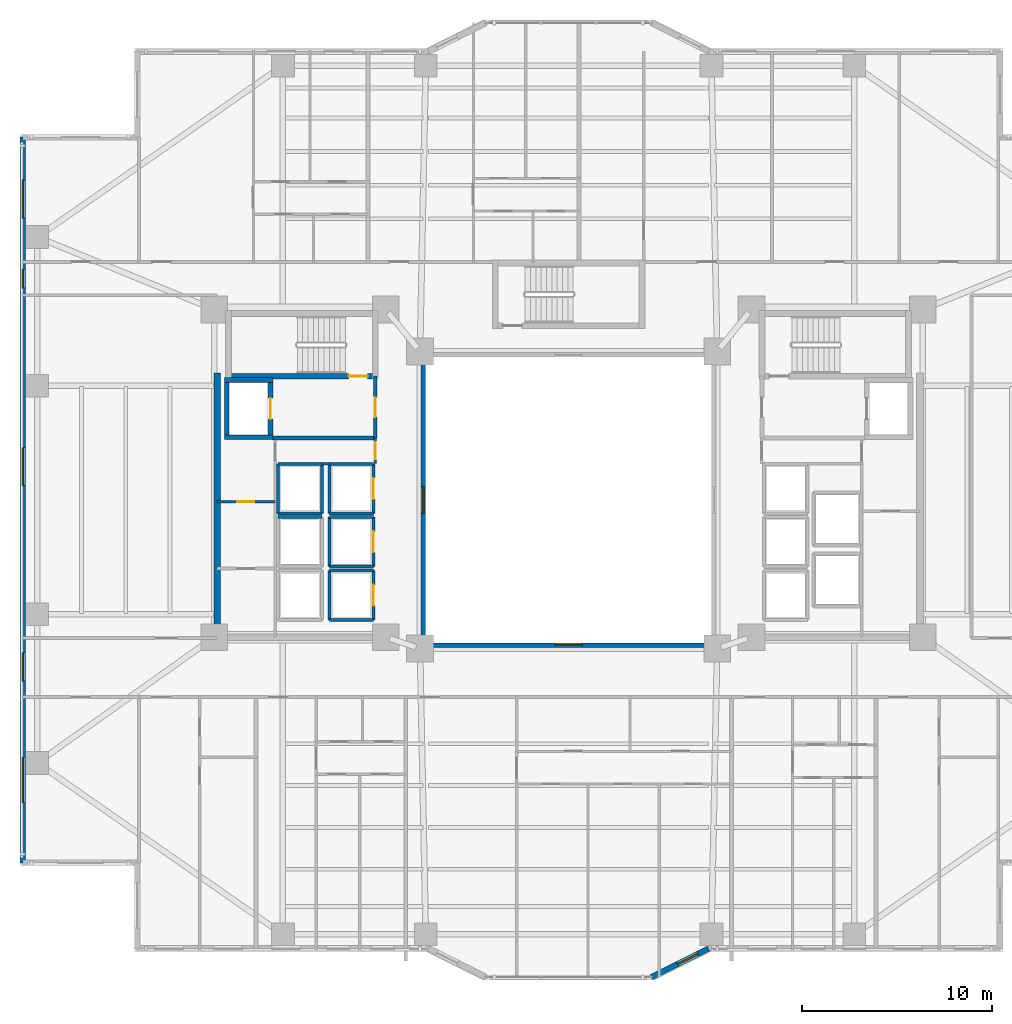
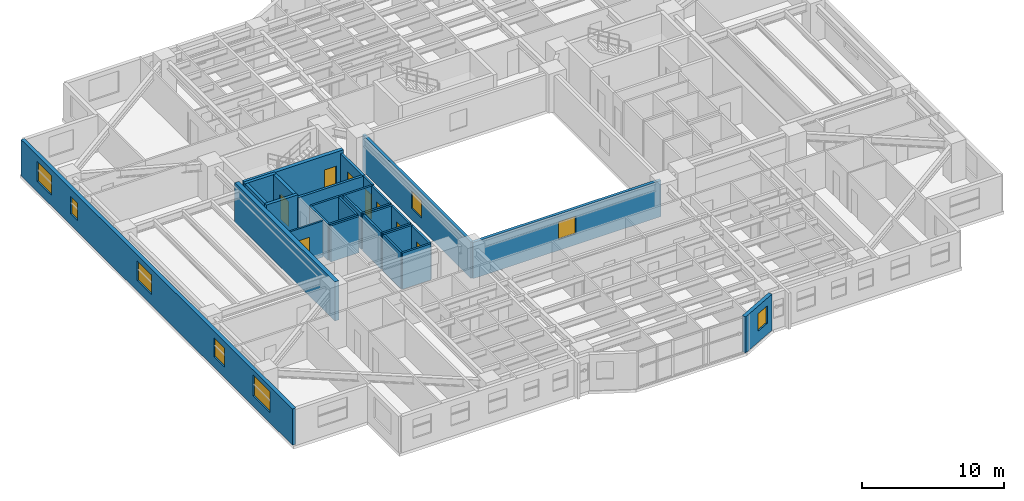
# One storey, part 11 of 21: 32 walls, 8 doors, 8 windows, 16 openings.
"""IFC4 building model written with IfcOpenShell, lengths in metres."""

from ifc_helpers import new_model, si_unit, direction, frame, frame_2d, origin, place, context, subcontext, project, spatial, rectangle, extrude, material, layer, layer_set, type_object, element, fill, save


model = new_model("IFC4")

# Units and contexts
model_context = context("Model", 3, precision=1e-05, world=origin(), true_north=direction((0.0, 1.0)))
body_context = subcontext(model_context, "Body", "Model", "MODEL_VIEW")
ifc_project = project(units=[si_unit("LENGTHUNIT", "METRE"), si_unit("AREAUNIT", "SQUARE_METRE"), si_unit("VOLUMEUNIT", "CUBIC_METRE"), si_unit("PLANEANGLEUNIT", "RADIAN"), si_unit("MASSUNIT", "GRAM", prefix="KILO")], contexts=[model_context])

# Site, building, storey
site_placement = place(None, origin())
site = spatial("IfcSite", under=ifc_project, at=site_placement, CompositionType="ELEMENT")
building_placement = place(site_placement, origin())
building = spatial("IfcBuilding", under=site, at=building_placement, Name="Tarnavaz Court Tower", CompositionType="ELEMENT")
storey_placement = place(building_placement, frame((0.0, 0.0, 40.75)))
storey = spatial("IfcBuildingStorey", under=building, at=storey_placement, Name="L10", CompositionType="ELEMENT", Elevation=40.75)

# Wall
ifc_material_1 = material(Name="Concrete C60/75", Category="concrete")
ifc_layer_1 = layer(ifc_material_1, 0.25)
ifc_layer_set_1 = layer_set([ifc_layer_1], Name="Concrete C60/75")
wall_type_1 = type_object("IfcWallType", Name="WL-CORE-250-C60", PredefinedType="SHEAR", material=ifc_layer_set_1)
wall_1_placement = place(storey_placement, frame((-17.949951171875, 3.175048828125, 0.0), z_axis=(0.0, 0.0, 1.0), x_axis=(0.0, 1.0, 0.0)))
element("IfcWall", 1, at=wall_1_placement, inside=storey, type_object=wall_type_1, Name="L10 Lift FL-W1 Shaft Wall 017", PredefinedType="SHEAR", context=body_context, shape_type="SweptSolid", body=[
    extrude(rectangle(XDim=3.25, YDim=0.25, at=frame_2d((1.625, 0.0))), origin(), (0.0, 0.0, 1.0), 3.35009765625),
])

# Wall, opening, door
wall_2_placement = place(storey_placement, frame((-15.64990234375, 3.175048828125, 0.0), z_axis=(0.0, 0.0, 1.0), x_axis=(0.0, 1.0, 0.0)))
wall_2 = element("IfcWall", 2, at=wall_2_placement, inside=storey, type_object=wall_type_1, Name="L10 Lift FL-W1 Shaft Wall 018", PredefinedType="SHEAR", context=body_context, shape_type="SweptSolid", body=[
    extrude(rectangle(XDim=3.25, YDim=0.25, at=frame_2d((1.625, 0.0))), origin(), (0.0, 0.0, 1.0), 3.35009765625),
])
opening_1_placement = place(wall_2_placement, frame((1.074951171875, 0.0, 0.0)))
opening_1 = element("IfcOpeningElement", 3, at=opening_1_placement, cuts=wall_2, Name="Opening LD1", PredefinedType="OPENING", context=body_context, shape_type="SweptSolid", body=[
    extrude(rectangle(XDim=1.10009765625, YDim=2.14990234375, at=frame_2d((0.550048828125, 1.074951171875))), frame((0.0, 0.135009765625, 0.0), z_axis=(0.0, -1.0, 0.0), x_axis=(1.0, 0.0, 0.0)), (0.0, 0.0, 1.0), 0.27001953125),
])
ifc_material_2 = material(Name="Stainless Steel", Category="steel")
door_type_1 = type_object("IfcDoorType", Name="DR-LD-1100", OperationType="NOTDEFINED", PredefinedType="DOOR", material=ifc_material_2)
door_1_placement = place(opening_1_placement, origin())
door_1 = element("IfcDoor", 4, at=door_1_placement, inside=storey, type_object=door_type_1, Name="L10 Lift Landing Door LD-FL-W1", OperationType="SLIDING_TO_LEFT", OverallHeight=2.14990234375, OverallWidth=1.10009765625, PredefinedType="DOOR", context=body_context, shape_type="SweptSolid", body=[
    extrude(rectangle(XDim=1.10009765625, YDim=2.14990234375, at=frame_2d((0.550048828125, 1.074951171875))), frame((0.0, 0.02490234375, 0.0), z_axis=(0.0, -1.0, 0.0), x_axis=(1.0, 0.0, 0.0)), (0.0, 0.0, 1.0), 0.050048828125),
])
fill(opening_1, door_1)

# Walls
for number, where, z_axis, x_axis, name in (
    (5, (-18.074951171875, 3.300048828125, 0.0), (0.0, 0.0, 1.0), (1.0, 0.0, 0.0), "L10 Lift FL-W1 Shaft Wall 019"),
    (6, (-18.074951171875, 6.300048828125, 0.0), (0.0, 0.0, 1.0), (1.0, 0.0, 0.0), "L10 Lift FL-W1 Shaft Wall 020"),
):
    element("IfcWall", number, at=place(storey_placement, frame(where, z_axis=z_axis, x_axis=x_axis)), inside=storey, type_object=wall_type_1, Name=name, PredefinedType="SHEAR", context=body_context, shape_type="SweptSolid", body=[
        extrude(rectangle(XDim=2.550048828125, YDim=0.25, at=frame_2d((1.27490234375, 0.0))), origin(), (0.0, 0.0, 1.0), 3.35009765625),
    ])

# Wall, opening, door
ifc_layer_2 = layer(ifc_material_1, 0.300048828125)
ifc_layer_set_2 = layer_set([ifc_layer_2], Name="Concrete C60/75")
wall_type_2 = type_object("IfcWallType", Name="WL-CORE-300-C60", PredefinedType="SHEAR", material=ifc_layer_set_2)
wall_3_placement = place(storey_placement, frame((-18.0, 6.5, 0.0), z_axis=(0.0, 0.0, 1.0), x_axis=(1.0, 0.0, 0.0)))
wall_3 = element("IfcWall", 7, at=wall_3_placement, inside=storey, type_object=wall_type_2, Name="L10 West Stair Core Wall 002", PredefinedType="SHEAR", context=body_context, shape_type="SweptSolid", body=[
    extrude(rectangle(XDim=8.0, YDim=0.300048828125, at=frame_2d((4.0, 0.0))), origin(), (0.0, 0.0, 1.0), 3.35009765625),
])
opening_2_placement = place(wall_3_placement, frame((6.449951171875, 0.0, 0.0)))
opening_2 = element("IfcOpeningElement", 8, at=opening_2_placement, cuts=wall_3, Name="Opening D01", PredefinedType="OPENING", context=body_context, shape_type="SweptSolid", body=[
    extrude(rectangle(XDim=1.0, YDim=2.14990234375, at=frame_2d((0.5, 1.074951171875))), frame((0.0, 0.159912109375, 0.0), z_axis=(0.0, -1.0, 0.0), x_axis=(1.0, 0.0, 0.0)), (0.0, 0.0, 1.0), 0.320068359375),
])
ifc_material_3 = material(Name="Fire-Rated Hardwood Timber Core", Category="wood")
door_type_2 = type_object("IfcDoorType", Name="DR-FD90-1000", OperationType="NOTDEFINED", PredefinedType="DOOR", material=ifc_material_3)
door_2_placement = place(opening_2_placement, origin())
door_2 = element("IfcDoor", 9, at=door_2_placement, inside=storey, type_object=door_type_2, Name="L10 Stair ST-W1 Exit Door", OperationType="SINGLE_SWING_LEFT", OverallHeight=2.14990234375, OverallWidth=1.0, PredefinedType="DOOR", context=body_context, shape_type="SweptSolid", body=[
    extrude(rectangle(XDim=1.0, YDim=2.14990234375, at=frame_2d((0.5, 1.074951171875))), frame((0.0, 0.02490234375, 0.0), z_axis=(0.0, -1.0, 0.0), x_axis=(1.0, 0.0, 0.0)), (0.0, 0.0, 1.0), 0.050048828125),
])
fill(opening_2, door_2)

# Wall
ifc_layer_3 = layer(ifc_material_1, 0.35009765625)
ifc_layer_set_3 = layer_set([ifc_layer_3], Name="Concrete C60/75")
wall_type_3 = type_object("IfcWallType", Name="WL-CORE-350-C60", PredefinedType="SHEAR", material=ifc_layer_set_3)
wall_4_placement = place(storey_placement, frame((-18.449951171875, -7.375, 0.0), z_axis=(0.0, 0.0, 1.0), x_axis=(0.0, 1.0, 0.0)))
element("IfcWall", 10, at=wall_4_placement, inside=storey, type_object=wall_type_3, Name="L10 West Core Shear Wall 069", PredefinedType="SHEAR", context=body_context, shape_type="SweptSolid", body=[
    extrude(rectangle(XDim=14.050048828125, YDim=0.35009765625, at=frame_2d((7.02490234375, 0.0))), origin(), (0.0, 0.0, 1.0), 3.35009765625),
])

# Wall, openings, windows
ifc_material_4 = material(Name="Precast Concrete C40/50", Category="concrete")
ifc_layer_4 = layer(ifc_material_4, 0.300048828125)
ifc_layer_set_4 = layer_set([ifc_layer_4], Name="Precast Concrete C40/50")
wall_type_4 = type_object("IfcWallType", Name="WL-EXT-300", PredefinedType="SOLIDWALL", material=ifc_layer_set_4)
wall_5_placement = place(storey_placement, frame((-28.64990234375, -19.050048828125, 0.0), z_axis=(0.0, 0.0, 1.0), x_axis=(0.0, 1.0, 0.0)))
wall_5 = element("IfcWall", 11, at=wall_5_placement, inside=storey, type_object=wall_type_4, Name="L10 Exterior Terracotta Facade Wall 02", PredefinedType="SOLIDWALL", context=body_context, shape_type="SweptSolid", body=[
    extrude(rectangle(XDim=38.10009765625, YDim=0.300048828125, at=frame_2d((19.050048828125, 0.0))), origin(), (0.0, 0.0, 1.0), 3.10009765625),
])
opening_3_placement = place(wall_5_placement, frame((3.14990234375, 0.0, 0.89990234375)))
opening_3 = element("IfcOpeningElement", 12, at=opening_3_placement, cuts=wall_5, Name="Opening W06", PredefinedType="OPENING", context=body_context, shape_type="SweptSolid", body=[
    extrude(rectangle(XDim=2.39990234375, YDim=1.800048828125, at=frame_2d((1.199951171875, 0.89990234375))), frame((0.0, 0.159912109375, 0.0), z_axis=(0.0, -1.0, 0.0), x_axis=(1.0, 0.0, 0.0)), (0.0, 0.0, 1.0), 0.320068359375),
])
opening_4_placement = place(wall_5_placement, frame((9.54248046875, 0.0, 0.89990234375)))
opening_4 = element("IfcOpeningElement", 13, at=opening_4_placement, cuts=wall_5, Name="Opening W03", PredefinedType="OPENING", context=body_context, shape_type="SweptSolid", body=[
    extrude(rectangle(XDim=1.5, YDim=1.64990234375, at=frame_2d((0.75, 0.824951171875))), frame((0.0, 0.159912109375, 0.0), z_axis=(0.0, -1.0, 0.0), x_axis=(1.0, 0.0, 0.0)), (0.0, 0.0, 1.0), 0.320068359375),
])
opening_5_placement = place(wall_5_placement, frame((19.800048828125, 0.0, 0.89990234375)))
opening_5 = element("IfcOpeningElement", 14, at=opening_5_placement, cuts=wall_5, Name="Opening W08", PredefinedType="OPENING", context=body_context, shape_type="SweptSolid", body=[
    extrude(rectangle(XDim=2.0, YDim=1.699951171875, at=frame_2d((1.0, 0.85009765625))), frame((0.0, 0.159912109375, 0.0), z_axis=(0.0, -1.0, 0.0), x_axis=(1.0, 0.0, 0.0)), (0.0, 0.0, 1.0), 0.320068359375),
])
opening_6_placement = place(wall_5_placement, frame((30.175048828125, 0.0, 0.949951171875)))
opening_6 = element("IfcOpeningElement", 15, at=opening_6_placement, cuts=wall_5, Name="Opening W14", PredefinedType="OPENING", context=body_context, shape_type="SweptSolid", body=[
    extrude(rectangle(XDim=1.0, YDim=1.5, at=frame_2d((0.5, 0.75))), frame((0.0, 0.159912109375, 0.0), z_axis=(0.0, -1.0, 0.0), x_axis=(1.0, 0.0, 0.0)), (0.0, 0.0, 1.0), 0.320068359375),
])
opening_7_placement = place(wall_5_placement, frame((33.85009765625, 0.0, 0.89990234375)))
opening_7 = element("IfcOpeningElement", 16, at=opening_7_placement, cuts=wall_5, Name="Opening W08", PredefinedType="OPENING", context=body_context, shape_type="SweptSolid", body=[
    extrude(rectangle(XDim=2.0, YDim=1.699951171875, at=frame_2d((1.0, 0.85009765625))), frame((0.0, 0.159912109375, 0.0), z_axis=(0.0, -1.0, 0.0), x_axis=(1.0, 0.0, 0.0)), (0.0, 0.0, 1.0), 0.320068359375),
])
ifc_material_5 = material(Name="Double-Glazed Solar Low-E Glass", Category="glass")
window_type_1 = type_object("IfcWindowType", Name="WN-APT-1000", PartitioningType="SINGLE_PANEL", PredefinedType="WINDOW", material=ifc_material_5)
window_1_placement = place(opening_6_placement, origin())
window_1 = element("IfcWindow", 17, at=window_1_placement, inside=storey, type_object=window_type_1, Name="L10 North-West Corner Corridor Window", OverallHeight=1.5, OverallWidth=1.0, PartitioningType="SINGLE_PANEL", PredefinedType="WINDOW", context=body_context, shape_type="SweptSolid", body=[
    extrude(rectangle(XDim=1.0, YDim=1.5, at=frame_2d((0.5, 0.75))), frame((0.0, 0.030029296875, 0.0), z_axis=(0.0, -1.0, 0.0), x_axis=(1.0, 0.0, 0.0)), (0.0, 0.0, 1.0), 0.06005859375),
])
fill(opening_6, window_1)
window_type_2 = type_object("IfcWindowType", Name="WN-APT-1500", PartitioningType="DOUBLE_PANEL_VERTICAL", PredefinedType="WINDOW", material=ifc_material_5)
window_2_placement = place(opening_4_placement, origin())
window_2 = element("IfcWindow", 18, at=window_2_placement, inside=storey, type_object=window_type_2, Name="L10 South-West Corner Corridor Window", OverallHeight=1.64990234375, OverallWidth=1.5, PartitioningType="SINGLE_PANEL", PredefinedType="WINDOW", context=body_context, shape_type="SweptSolid", body=[
    extrude(rectangle(XDim=1.5, YDim=1.64990234375, at=frame_2d((0.75, 0.824951171875))), frame((0.0, 0.030029296875, 0.0), z_axis=(0.0, -1.0, 0.0), x_axis=(1.0, 0.0, 0.0)), (0.0, 0.0, 1.0), 0.06005859375),
])
fill(opening_4, window_2)
window_type_3 = type_object("IfcWindowType", Name="WN-APT-2000", PartitioningType="DOUBLE_PANEL_VERTICAL", PredefinedType="WINDOW", material=ifc_material_5)
window_3_placement = place(opening_5_placement, origin())
window_3 = element("IfcWindow", 19, at=window_3_placement, inside=storey, type_object=window_type_3, Name="L10 West Wing Community Meeting Lounge Window", OverallHeight=1.699951171875, OverallWidth=2.0, PartitioningType="SINGLE_PANEL", PredefinedType="WINDOW", context=body_context, shape_type="SweptSolid", body=[
    extrude(rectangle(XDim=2.0, YDim=1.699951171875, at=frame_2d((1.0, 0.85009765625))), frame((0.0, 0.030029296875, 0.0), z_axis=(0.0, -1.0, 0.0), x_axis=(1.0, 0.0, 0.0)), (0.0, 0.0, 1.0), 0.06005859375),
])
fill(opening_5, window_3)
window_4_placement = place(opening_7_placement, origin())
window_4 = element("IfcWindow", 20, at=window_4_placement, inside=storey, type_object=window_type_3, Name="L10 North-West Corner Sunroom Study Window", OverallHeight=1.699951171875, OverallWidth=2.0, PartitioningType="SINGLE_PANEL", PredefinedType="WINDOW", context=body_context, shape_type="SweptSolid", body=[
    extrude(rectangle(XDim=2.0, YDim=1.699951171875, at=frame_2d((1.0, 0.85009765625))), frame((0.0, 0.030029296875, 0.0), z_axis=(0.0, -1.0, 0.0), x_axis=(1.0, 0.0, 0.0)), (0.0, 0.0, 1.0), 0.06005859375),
])
fill(opening_7, window_4)
window_type_4 = type_object("IfcWindowType", Name="WN-APT-2400", PartitioningType="TRIPLE_PANEL_VERTICAL", PredefinedType="WINDOW", material=ifc_material_5)
window_5_placement = place(opening_3_placement, origin())
window_5 = element("IfcWindow", 21, at=window_5_placement, inside=storey, type_object=window_type_4, Name="L10 South-West Corner Reading Room Window", OverallHeight=1.800048828125, OverallWidth=2.39990234375, PartitioningType="SINGLE_PANEL", PredefinedType="WINDOW", context=body_context, shape_type="SweptSolid", body=[
    extrude(rectangle(XDim=2.39990234375, YDim=1.800048828125, at=frame_2d((1.199951171875, 0.89990234375))), frame((0.0, 0.030029296875, 0.0), z_axis=(0.0, -1.0, 0.0), x_axis=(1.0, 0.0, 0.0)), (0.0, 0.0, 1.0), 0.06005859375),
])
fill(opening_3, window_5)

# Wall, opening, window
wall_6_placement = place(storey_placement, frame((7.35009765625, -23.550048828125, 0.0), z_axis=(0.0, 0.0, 1.0), x_axis=(-0.894427191, -0.4472135955, 0.0)))
wall_6 = element("IfcWall", 22, at=wall_6_placement, inside=storey, type_object=wall_type_4, Name="L10 Exterior Terracotta Facade Wall 16", PredefinedType="SOLIDWALL", context=body_context, shape_type="SweptSolid", body=[
    extrude(rectangle(XDim=3.35400390625, YDim=0.300048828125, at=frame_2d((1.677001953125, 0.0))), origin(), (0.0, 0.0, 1.0), 3.10009765625),
])
opening_8_placement = place(wall_6_placement, frame((0.62158203125, 0.0, 0.949951171875)))
opening_8 = element("IfcOpeningElement", 23, at=opening_8_placement, cuts=wall_6, Name="Opening W05", PredefinedType="OPENING", context=body_context, shape_type="SweptSolid", body=[
    extrude(rectangle(XDim=1.199951171875, YDim=1.5, at=frame_2d((0.60009765625, 0.75))), frame((0.0, 0.159912109375, 0.0), z_axis=(0.0, -1.0, 0.0), x_axis=(1.0, 0.0, 0.0)), (0.0, 0.0, 1.0), 0.320068359375),
])
window_type_5 = type_object("IfcWindowType", Name="WN-APT-1200", PartitioningType="SINGLE_PANEL", PredefinedType="WINDOW", material=ifc_material_5)
window_6_placement = place(opening_8_placement, origin())
window_6 = element("IfcWindow", 24, at=window_6_placement, inside=storey, type_object=window_type_5, Name="L10 Flat 07 Bedroom 3 Window", OverallHeight=1.5, OverallWidth=1.199951171875, PartitioningType="SINGLE_PANEL", PredefinedType="WINDOW", context=body_context, shape_type="SweptSolid", body=[
    extrude(rectangle(XDim=1.199951171875, YDim=1.5, at=frame_2d((0.60009765625, 0.75))), frame((0.0, 0.030029296875, 0.0), z_axis=(0.0, -1.0, 0.0), x_axis=(1.0, 0.0, 0.0)), (0.0, 0.0, 1.0), 0.06005859375),
])
fill(opening_8, window_6)

# Wall
ifc_material_6 = material(Name="Autoclaved Aerated Concrete Blockwork", Category="masonry")
ifc_layer_5 = layer(ifc_material_6, 0.199951171875)
ifc_layer_set_5 = layer_set([ifc_layer_5], Name="Autoclaved Aerated Concrete Blockwork")
wall_type_5 = type_object("IfcWallType", Name="WL-FIRE-200", PredefinedType="SOLIDWALL", material=ifc_layer_set_5)
wall_7_placement = place(storey_placement, frame((-15.550048828125, 3.25, 0.0), z_axis=(0.0, 0.0, 1.0), x_axis=(1.0, 0.0, 0.0)))
element("IfcWall", 25, at=wall_7_placement, inside=storey, type_object=wall_type_5, Name="L10 West Firefighting Lobby Wall 013", PredefinedType="SOLIDWALL", context=body_context, shape_type="SweptSolid", body=[
    extrude(rectangle(XDim=5.400146484375, YDim=0.199951171875, at=frame_2d((2.7001953125, 0.0))), origin(), (0.0, 0.0, 1.0), 3.10009765625),
])

# Wall, opening, door
wall_8_placement = place(storey_placement, frame((-10.14990234375, 3.25, 0.0), z_axis=(0.0, 0.0, 1.0), x_axis=(0.0, 1.0, 0.0)))
wall_8 = element("IfcWall", 26, at=wall_8_placement, inside=storey, type_object=wall_type_5, Name="L10 West Firefighting Lobby Wall 014", PredefinedType="SOLIDWALL", context=body_context, shape_type="SweptSolid", body=[
    extrude(rectangle(XDim=3.25, YDim=0.199951171875, at=frame_2d((1.625, 0.0))), origin(), (0.0, 0.0, 1.0), 3.10009765625),
])
opening_9_placement = place(wall_8_placement, frame((1.10009765625, 0.0, 0.0)))
opening_9 = element("IfcOpeningElement", 27, at=opening_9_placement, cuts=wall_8, Name="Opening D05", PredefinedType="OPENING", context=body_context, shape_type="SweptSolid", body=[
    extrude(rectangle(XDim=1.02001953125, YDim=2.14990234375, at=frame_2d((0.510009765625, 1.074951171875))), frame((0.0, 0.10986328125, 0.0), z_axis=(0.0, -1.0, 0.0), x_axis=(1.0, 0.0, 0.0)), (0.0, 0.0, 1.0), 0.219970703125),
])
door_type_3 = type_object("IfcDoorType", Name="DR-FD60-1000", OperationType="NOTDEFINED", PredefinedType="DOOR", material=ifc_material_3)
door_3_placement = place(opening_9_placement, origin())
door_3 = element("IfcDoor", 28, at=door_3_placement, inside=storey, type_object=door_type_3, Name="L10 West Firefighting Lobby Door", OperationType="SINGLE_SWING_RIGHT", OverallHeight=2.14990234375, OverallWidth=1.02001953125, PredefinedType="DOOR", context=body_context, shape_type="SweptSolid", body=[
    extrude(rectangle(XDim=1.02001953125, YDim=2.14990234375, at=frame_2d((0.510009765625, 1.074951171875))), frame((0.0, 0.02490234375, 0.0), z_axis=(0.0, -1.0, 0.0), x_axis=(1.0, 0.0, 0.0)), (0.0, 0.0, 1.0), 0.050048828125),
])
fill(opening_9, door_3)

# Wall
ifc_material_7 = material(Name="Gypsum Plasterboard Acoustic Partition", Category="masonry")
ifc_layer_6 = layer(ifc_material_7, 0.139892578125)
ifc_layer_set_6 = layer_set([ifc_layer_6], Name="Gypsum Plasterboard Acoustic Partition")
wall_type_6 = type_object("IfcWallType", Name="WL-PART-150", PredefinedType="PARTITIONING", material=ifc_layer_set_6)
wall_9_placement = place(storey_placement, frame((-12.949951171875, 1.89990234375, 0.0), z_axis=(0.0, 0.0, 1.0), x_axis=(1.0, 0.0, 0.0)))
element("IfcWall", 29, at=wall_9_placement, inside=storey, type_object=wall_type_6, Name="L10 Interior Partition 073", PredefinedType="PARTITIONING", context=body_context, shape_type="SweptSolid", body=[
    extrude(rectangle(XDim=0.39990234375, YDim=0.139892578125, at=frame_2d((0.199951171875, 0.0))), origin(), (0.0, 0.0, 1.0), 3.10009765625),
])

# Wall, opening, door
wall_10_placement = place(storey_placement, frame((-10.14990234375, 1.919921875, 0.0), z_axis=(0.0, 0.0, 1.0), x_axis=(0.0, 1.0, 0.0)))
wall_10 = element("IfcWall", 30, at=wall_10_placement, inside=storey, type_object=wall_type_6, Name="L10 Interior Partition 074", PredefinedType="PARTITIONING", context=body_context, shape_type="SweptSolid", body=[
    extrude(rectangle(XDim=1.330078125, YDim=0.139892578125, at=frame_2d((0.6650390625, 0.0))), origin(), (0.0, 0.0, 1.0), 3.10009765625),
])
opening_10_placement = place(wall_10_placement, frame((0.219970703125, 0.0, 0.0)))
opening_10 = element("IfcOpeningElement", 31, at=opening_10_placement, cuts=wall_10, Name="Opening D09", PredefinedType="OPENING", context=body_context, shape_type="SweptSolid", body=[
    extrude(rectangle(XDim=0.89990234375, YDim=2.080078125, at=frame_2d((0.449951171875, 1.0400390625))), frame((0.0, 0.079833984375, 0.0), z_axis=(0.0, -1.0, 0.0), x_axis=(1.0, 0.0, 0.0)), (0.0, 0.0, 1.0), 0.159912109375),
])
door_type_4 = type_object("IfcDoorType", Name="DR-FD30-900", OperationType="NOTDEFINED", PredefinedType="DOOR", material=ifc_material_3)
door_4_placement = place(opening_10_placement, origin())
door_4 = element("IfcDoor", 32, at=door_4_placement, inside=storey, type_object=door_type_4, Name="L10 West Core Service Lobby Door", OperationType="SINGLE_SWING_LEFT", OverallHeight=2.080078125, OverallWidth=0.89990234375, PredefinedType="DOOR", context=body_context, shape_type="SweptSolid", body=[
    extrude(rectangle(XDim=0.89990234375, YDim=2.080078125, at=frame_2d((0.449951171875, 1.0400390625))), frame((0.0, 0.02490234375, 0.0), z_axis=(0.0, -1.0, 0.0), x_axis=(1.0, 0.0, 0.0)), (0.0, 0.0, 1.0), 0.050048828125),
])
fill(opening_10, door_4)

wall_11_placement = place(storey_placement, frame((-18.449951171875, -0.10009765625, 0.0), z_axis=(0.0, 0.0, 1.0), x_axis=(1.0, 0.0, 0.0)))
wall_11 = element("IfcWall", 33, at=wall_11_placement, inside=storey, type_object=wall_type_6, Name="L10 Interior Partition 077", PredefinedType="PARTITIONING", context=body_context, shape_type="SweptSolid", body=[
    extrude(rectangle(XDim=3.050048828125, YDim=0.139892578125, at=frame_2d((1.52490234375, 0.0))), origin(), (0.0, 0.0, 1.0), 3.10009765625),
])
opening_11_placement = place(wall_11_placement, frame((1.050048828125, 0.0, 0.0)))
opening_11 = element("IfcOpeningElement", 34, at=opening_11_placement, cuts=wall_11, Name="Opening D09", PredefinedType="OPENING", context=body_context, shape_type="SweptSolid", body=[
    extrude(rectangle(XDim=0.89990234375, YDim=2.080078125, at=frame_2d((0.449951171875, 1.0400390625))), frame((0.0, 0.079833984375, 0.0), z_axis=(0.0, -1.0, 0.0), x_axis=(1.0, 0.0, 0.0)), (0.0, 0.0, 1.0), 0.159912109375),
])
door_5_placement = place(opening_11_placement, origin())
door_5 = element("IfcDoor", 35, at=door_5_placement, inside=storey, type_object=door_type_4, Name="L10 West Chilled-Water Riser Door", OperationType="SINGLE_SWING_LEFT", OverallHeight=2.080078125, OverallWidth=0.89990234375, PredefinedType="DOOR", context=body_context, shape_type="SweptSolid", body=[
    extrude(rectangle(XDim=0.89990234375, YDim=2.080078125, at=frame_2d((0.449951171875, 1.0400390625))), frame((0.0, 0.02490234375, 0.0), z_axis=(0.0, -1.0, 0.0), x_axis=(1.0, 0.0, 0.0)), (0.0, 0.0, 1.0), 0.050048828125),
])
fill(opening_11, door_5)

# Wall
ifc_layer_7 = layer(ifc_material_6, 0.159912109375)
ifc_layer_set_7 = layer_set([ifc_layer_7], Name="Autoclaved Aerated Concrete Blockwork")
wall_type_7 = type_object("IfcWallType", Name="WL-SHAFT-150", PredefinedType="SOLIDWALL", material=ifc_layer_set_7)
wall_12_placement = place(storey_placement, frame((-12.550048828125, -6.300048828125, 0.0), z_axis=(0.0, 0.0, 1.0), x_axis=(0.0, 1.0, 0.0)))
element("IfcWall", 36, at=wall_12_placement, inside=storey, type_object=wall_type_7, Name="L10 Lift PL-L1 Shaft Wall 021", PredefinedType="SOLIDWALL", context=body_context, shape_type="SweptSolid", body=[
    extrude(rectangle(XDim=2.60009765625, YDim=0.159912109375, at=frame_2d((1.300048828125, 0.0))), origin(), (0.0, 0.0, 1.0), 3.10009765625),
])

# Wall, opening, door
wall_13_placement = place(storey_placement, frame((-10.25, -6.300048828125, 0.0), z_axis=(0.0, 0.0, 1.0), x_axis=(0.0, 1.0, 0.0)))
wall_13 = element("IfcWall", 37, at=wall_13_placement, inside=storey, type_object=wall_type_7, Name="L10 Lift PL-L1 Shaft Wall 022", PredefinedType="SOLIDWALL", context=body_context, shape_type="SweptSolid", body=[
    extrude(rectangle(XDim=2.60009765625, YDim=0.159912109375, at=frame_2d((1.300048828125, 0.0))), origin(), (0.0, 0.0, 1.0), 3.10009765625),
])
opening_12_placement = place(wall_13_placement, frame((0.75, 0.0, 0.0)))
opening_12 = element("IfcOpeningElement", 38, at=opening_12_placement, cuts=wall_13, Name="Opening LD1", PredefinedType="OPENING", context=body_context, shape_type="SweptSolid", body=[
    extrude(rectangle(XDim=1.10009765625, YDim=2.14990234375, at=frame_2d((0.550048828125, 1.074951171875))), frame((0.0, 0.08984375, 0.0), z_axis=(0.0, -1.0, 0.0), x_axis=(1.0, 0.0, 0.0)), (0.0, 0.0, 1.0), 0.179931640625),
])
door_6_placement = place(opening_12_placement, origin())
door_6 = element("IfcDoor", 39, at=door_6_placement, inside=storey, type_object=door_type_1, Name="L10 Lift Landing Door LD-PL-L1", OperationType="SLIDING_TO_LEFT", OverallHeight=2.14990234375, OverallWidth=1.10009765625, PredefinedType="DOOR", context=body_context, shape_type="SweptSolid", body=[
    extrude(rectangle(XDim=1.10009765625, YDim=2.14990234375, at=frame_2d((0.550048828125, 1.074951171875))), frame((0.0, 0.02490234375, 0.0), z_axis=(0.0, -1.0, 0.0), x_axis=(1.0, 0.0, 0.0)), (0.0, 0.0, 1.0), 0.050048828125),
])
fill(opening_12, door_6)

# Walls
for number, where, z_axis, x_axis, name in (
    (40, (-12.550048828125, -6.300048828125, 0.0), (0.0, 0.0, 1.0), (1.0, 0.0, 0.0), "L10 Lift PL-L1 Shaft Wall 023"),
    (41, (-12.550048828125, -3.699951171875, 0.0), (0.0, 0.0, 1.0), (1.0, 0.0, 0.0), "L10 Lift PL-L1 Shaft Wall 024"),
):
    element("IfcWall", number, at=place(storey_placement, frame(where, z_axis=z_axis, x_axis=x_axis)), inside=storey, type_object=wall_type_7, Name=name, PredefinedType="SOLIDWALL", context=body_context, shape_type="SweptSolid", body=[
        extrude(rectangle(XDim=2.300048828125, YDim=0.159912109375, at=frame_2d((1.14990234375, 0.0))), origin(), (0.0, 0.0, 1.0), 3.10009765625),
    ])
wall_14_placement = place(storey_placement, frame((-12.550048828125, -3.5, 0.0), z_axis=(0.0, 0.0, 1.0), x_axis=(0.0, 1.0, 0.0)))
element("IfcWall", 42, at=wall_14_placement, inside=storey, type_object=wall_type_7, Name="L10 Lift PL-L2 Shaft Wall 025", PredefinedType="SOLIDWALL", context=body_context, shape_type="SweptSolid", body=[
    extrude(rectangle(XDim=2.60009765625, YDim=0.159912109375, at=frame_2d((1.300048828125, 0.0))), origin(), (0.0, 0.0, 1.0), 3.10009765625),
])

# Wall, opening, door
wall_15_placement = place(storey_placement, frame((-10.25, -3.5, 0.0), z_axis=(0.0, 0.0, 1.0), x_axis=(0.0, 1.0, 0.0)))
wall_15 = element("IfcWall", 43, at=wall_15_placement, inside=storey, type_object=wall_type_7, Name="L10 Lift PL-L2 Shaft Wall 026", PredefinedType="SOLIDWALL", context=body_context, shape_type="SweptSolid", body=[
    extrude(rectangle(XDim=2.60009765625, YDim=0.159912109375, at=frame_2d((1.300048828125, 0.0))), origin(), (0.0, 0.0, 1.0), 3.10009765625),
])
opening_13_placement = place(wall_15_placement, frame((0.75, 0.0, 0.0)))
opening_13 = element("IfcOpeningElement", 44, at=opening_13_placement, cuts=wall_15, Name="Opening LD1", PredefinedType="OPENING", context=body_context, shape_type="SweptSolid", body=[
    extrude(rectangle(XDim=1.10009765625, YDim=2.14990234375, at=frame_2d((0.550048828125, 1.074951171875))), frame((0.0, 0.08984375, 0.0), z_axis=(0.0, -1.0, 0.0), x_axis=(1.0, 0.0, 0.0)), (0.0, 0.0, 1.0), 0.179931640625),
])
door_7_placement = place(opening_13_placement, origin())
door_7 = element("IfcDoor", 45, at=door_7_placement, inside=storey, type_object=door_type_1, Name="L10 Lift Landing Door LD-PL-L2", OperationType="SLIDING_TO_LEFT", OverallHeight=2.14990234375, OverallWidth=1.10009765625, PredefinedType="DOOR", context=body_context, shape_type="SweptSolid", body=[
    extrude(rectangle(XDim=1.10009765625, YDim=2.14990234375, at=frame_2d((0.550048828125, 1.074951171875))), frame((0.0, 0.02490234375, 0.0), z_axis=(0.0, -1.0, 0.0), x_axis=(1.0, 0.0, 0.0)), (0.0, 0.0, 1.0), 0.050048828125),
])
fill(opening_13, door_7)

# Walls
for number, where, z_axis, x_axis, name in (
    (46, (-12.550048828125, -3.5, 0.0), (0.0, 0.0, 1.0), (1.0, 0.0, 0.0), "L10 Lift PL-L2 Shaft Wall 027"),
    (47, (-12.550048828125, -0.89990234375, 0.0), (0.0, 0.0, 1.0), (1.0, 0.0, 0.0), "L10 Lift PL-L2 Shaft Wall 028"),
):
    element("IfcWall", number, at=place(storey_placement, frame(where, z_axis=z_axis, x_axis=x_axis)), inside=storey, type_object=wall_type_7, Name=name, PredefinedType="SOLIDWALL", context=body_context, shape_type="SweptSolid", body=[
        extrude(rectangle(XDim=2.300048828125, YDim=0.159912109375, at=frame_2d((1.14990234375, 0.0))), origin(), (0.0, 0.0, 1.0), 3.10009765625),
    ])
wall_16_placement = place(storey_placement, frame((-12.550048828125, -0.699951171875, 0.0), z_axis=(0.0, 0.0, 1.0), x_axis=(0.0, 1.0, 0.0)))
element("IfcWall", 48, at=wall_16_placement, inside=storey, type_object=wall_type_7, Name="L10 Lift PL-L3 Shaft Wall 029", PredefinedType="SOLIDWALL", context=body_context, shape_type="SweptSolid", body=[
    extrude(rectangle(XDim=2.599853515625, YDim=0.159912109375, at=frame_2d((1.2998046875, 0.0))), origin(), (0.0, 0.0, 1.0), 3.10009765625),
])

# Wall, opening, door
wall_17_placement = place(storey_placement, frame((-10.25, -0.699951171875, 0.0), z_axis=(0.0, 0.0, 1.0), x_axis=(0.0, 1.0, 0.0)))
wall_17 = element("IfcWall", 49, at=wall_17_placement, inside=storey, type_object=wall_type_7, Name="L10 Lift PL-L3 Shaft Wall 030", PredefinedType="SOLIDWALL", context=body_context, shape_type="SweptSolid", body=[
    extrude(rectangle(XDim=2.599853515625, YDim=0.159912109375, at=frame_2d((1.2998046875, 0.0))), origin(), (0.0, 0.0, 1.0), 3.10009765625),
])
opening_14_placement = place(wall_17_placement, frame((0.75, 0.0, 0.0)))
opening_14 = element("IfcOpeningElement", 50, at=opening_14_placement, cuts=wall_17, Name="Opening LD1", PredefinedType="OPENING", context=body_context, shape_type="SweptSolid", body=[
    extrude(rectangle(XDim=1.10009765625, YDim=2.14990234375, at=frame_2d((0.550048828125, 1.074951171875))), frame((0.0, 0.08984375, 0.0), z_axis=(0.0, -1.0, 0.0), x_axis=(1.0, 0.0, 0.0)), (0.0, 0.0, 1.0), 0.179931640625),
])
door_8_placement = place(opening_14_placement, origin())
door_8 = element("IfcDoor", 51, at=door_8_placement, inside=storey, type_object=door_type_1, Name="L10 Lift Landing Door LD-PL-L3", OperationType="SLIDING_TO_LEFT", OverallHeight=2.14990234375, OverallWidth=1.10009765625, PredefinedType="DOOR", context=body_context, shape_type="SweptSolid", body=[
    extrude(rectangle(XDim=1.10009765625, YDim=2.14990234375, at=frame_2d((0.550048828125, 1.074951171875))), frame((0.0, 0.02490234375, 0.0), z_axis=(0.0, -1.0, 0.0), x_axis=(1.0, 0.0, 0.0)), (0.0, 0.0, 1.0), 0.050048828125),
])
fill(opening_14, door_8)

# Walls
for number, where, z_axis, x_axis, name in (
    (52, (-12.550048828125, -0.699951171875, 0.0), (0.0, 0.0, 1.0), (1.0, 0.0, 0.0), "L10 Lift PL-L3 Shaft Wall 031"),
    (53, (-12.550048828125, 1.89990234375, 0.0), (0.0, 0.0, 1.0), (1.0, 0.0, 0.0), "L10 Lift PL-L3 Shaft Wall 032"),
    (54, (-15.25, -0.89990234375, 0.0), (0.0, 0.0, 1.0), (1.0, 0.0, 0.0), "L10 Lift PL-H2 Shaft Wall 040"),
):
    element("IfcWall", number, at=place(storey_placement, frame(where, z_axis=z_axis, x_axis=x_axis)), inside=storey, type_object=wall_type_7, Name=name, PredefinedType="SOLIDWALL", context=body_context, shape_type="SweptSolid", body=[
        extrude(rectangle(XDim=2.300048828125, YDim=0.159912109375, at=frame_2d((1.14990234375, 0.0))), origin(), (0.0, 0.0, 1.0), 3.10009765625),
    ])
for number, where, z_axis, x_axis, name in (
    (55, (-15.25, -0.699951171875, 0.0), (0.0, 0.0, 1.0), (0.0, 1.0, 0.0), "L10 Lift PL-H3 Shaft Wall 041"),
    (56, (-12.949951171875, -0.699951171875, 0.0), (0.0, 0.0, 1.0), (0.0, 1.0, 0.0), "L10 Lift PL-H3 Shaft Wall 042"),
):
    element("IfcWall", number, at=place(storey_placement, frame(where, z_axis=z_axis, x_axis=x_axis)), inside=storey, type_object=wall_type_7, Name=name, PredefinedType="SOLIDWALL", context=body_context, shape_type="SweptSolid", body=[
        extrude(rectangle(XDim=2.599853515625, YDim=0.159912109375, at=frame_2d((1.2998046875, 0.0))), origin(), (0.0, 0.0, 1.0), 3.10009765625),
    ])
for number, where, z_axis, x_axis, name in (
    (57, (-15.25, -0.699951171875, 0.0), (0.0, 0.0, 1.0), (1.0, 0.0, 0.0), "L10 Lift PL-H3 Shaft Wall 043"),
    (58, (-15.25, 1.89990234375, 0.0), (0.0, 0.0, 1.0), (1.0, 0.0, 0.0), "L10 Lift PL-H3 Shaft Wall 044"),
):
    element("IfcWall", number, at=place(storey_placement, frame(where, z_axis=z_axis, x_axis=x_axis)), inside=storey, type_object=wall_type_7, Name=name, PredefinedType="SOLIDWALL", context=body_context, shape_type="SweptSolid", body=[
        extrude(rectangle(XDim=2.300048828125, YDim=0.159912109375, at=frame_2d((1.14990234375, 0.0))), origin(), (0.0, 0.0, 1.0), 3.10009765625),
    ])

# Wall, opening, window
ifc_layer_8 = layer(ifc_material_4, 0.239990234375)
ifc_layer_set_8 = layer_set([ifc_layer_8], Name="Precast Concrete C40/50")
wall_type_8 = type_object("IfcWallType", Name="WL-WELL-240", PredefinedType="SOLIDWALL", material=ifc_layer_set_8)
wall_18_placement = place(storey_placement, frame((-7.6201171875, -7.6201171875, 0.0), z_axis=(0.0, 0.0, 1.0), x_axis=(1.0, 0.0, 0.0)))
wall_18 = element("IfcWall", 59, at=wall_18_placement, inside=storey, type_object=wall_type_8, Name="L10 Badgir Light-Well Exterior Wall S", PredefinedType="SOLIDWALL", context=body_context, shape_type="SweptSolid", body=[
    extrude(rectangle(XDim=15.240234375, YDim=0.239990234375, at=frame_2d((7.6201171875, 0.0))), origin(), (0.0, 0.0, 1.0), 3.10009765625),
])
opening_15_placement = place(wall_18_placement, frame((6.919921875, 0.0, 0.949951171875)))
opening_15 = element("IfcOpeningElement", 60, at=opening_15_placement, cuts=wall_18, Name="Opening W13", PredefinedType="OPENING", context=body_context, shape_type="SweptSolid", body=[
    extrude(rectangle(XDim=1.39990234375, YDim=1.5, at=frame_2d((0.699951171875, 0.75))), frame((0.0, 0.1298828125, 0.0), z_axis=(0.0, -1.0, 0.0), x_axis=(1.0, 0.0, 0.0)), (0.0, 0.0, 1.0), 0.260009765625),
])
window_type_6 = type_object("IfcWindowType", Name="WN-WEL-1400", PartitioningType="SINGLE_PANEL", PredefinedType="WINDOW", material=ifc_material_5)
window_7_placement = place(opening_15_placement, origin())
window_7 = element("IfcWindow", 61, at=window_7_placement, inside=storey, type_object=window_type_6, Name="L10 Courtyard Gallery Window S", OverallHeight=1.5, OverallWidth=1.39990234375, PartitioningType="SINGLE_PANEL", PredefinedType="WINDOW", context=body_context, shape_type="SweptSolid", body=[
    extrude(rectangle(XDim=1.39990234375, YDim=1.5, at=frame_2d((0.699951171875, 0.75))), frame((0.0, 0.030029296875, 0.0), z_axis=(0.0, -1.0, 0.0), x_axis=(1.0, 0.0, 0.0)), (0.0, 0.0, 1.0), 0.06005859375),
])
fill(opening_15, window_7)

wall_19_placement = place(storey_placement, frame((-7.6201171875, 7.6201171875, 0.0), z_axis=(0.0, 0.0, 1.0), x_axis=(0.0, -1.0, 0.0)))
wall_19 = element("IfcWall", 62, at=wall_19_placement, inside=storey, type_object=wall_type_8, Name="L10 Badgir Light-Well Exterior Wall W", PredefinedType="SOLIDWALL", context=body_context, shape_type="SweptSolid", body=[
    extrude(rectangle(XDim=15.240234375, YDim=0.239990234375, at=frame_2d((7.6201171875, 0.0))), origin(), (0.0, 0.0, 1.0), 3.10009765625),
])
opening_16_placement = place(wall_19_placement, frame((6.919921875, 0.0, 0.949951171875)))
opening_16 = element("IfcOpeningElement", 63, at=opening_16_placement, cuts=wall_19, Name="Opening W13", PredefinedType="OPENING", context=body_context, shape_type="SweptSolid", body=[
    extrude(rectangle(XDim=1.39990234375, YDim=1.5, at=frame_2d((0.699951171875, 0.75))), frame((0.0, 0.1298828125, 0.0), z_axis=(0.0, -1.0, 0.0), x_axis=(1.0, 0.0, 0.0)), (0.0, 0.0, 1.0), 0.260009765625),
])
window_8_placement = place(opening_16_placement, origin())
window_8 = element("IfcWindow", 64, at=window_8_placement, inside=storey, type_object=window_type_6, Name="L10 Courtyard Gallery Window W", OverallHeight=1.5, OverallWidth=1.39990234375, PartitioningType="SINGLE_PANEL", PredefinedType="WINDOW", context=body_context, shape_type="SweptSolid", body=[
    extrude(rectangle(XDim=1.39990234375, YDim=1.5, at=frame_2d((0.699951171875, 0.75))), frame((0.0, 0.030029296875, 0.0), z_axis=(0.0, -1.0, 0.0), x_axis=(1.0, 0.0, 0.0)), (0.0, 0.0, 1.0), 0.06005859375),
])
fill(opening_16, window_8)

save(model, "model.ifc")
